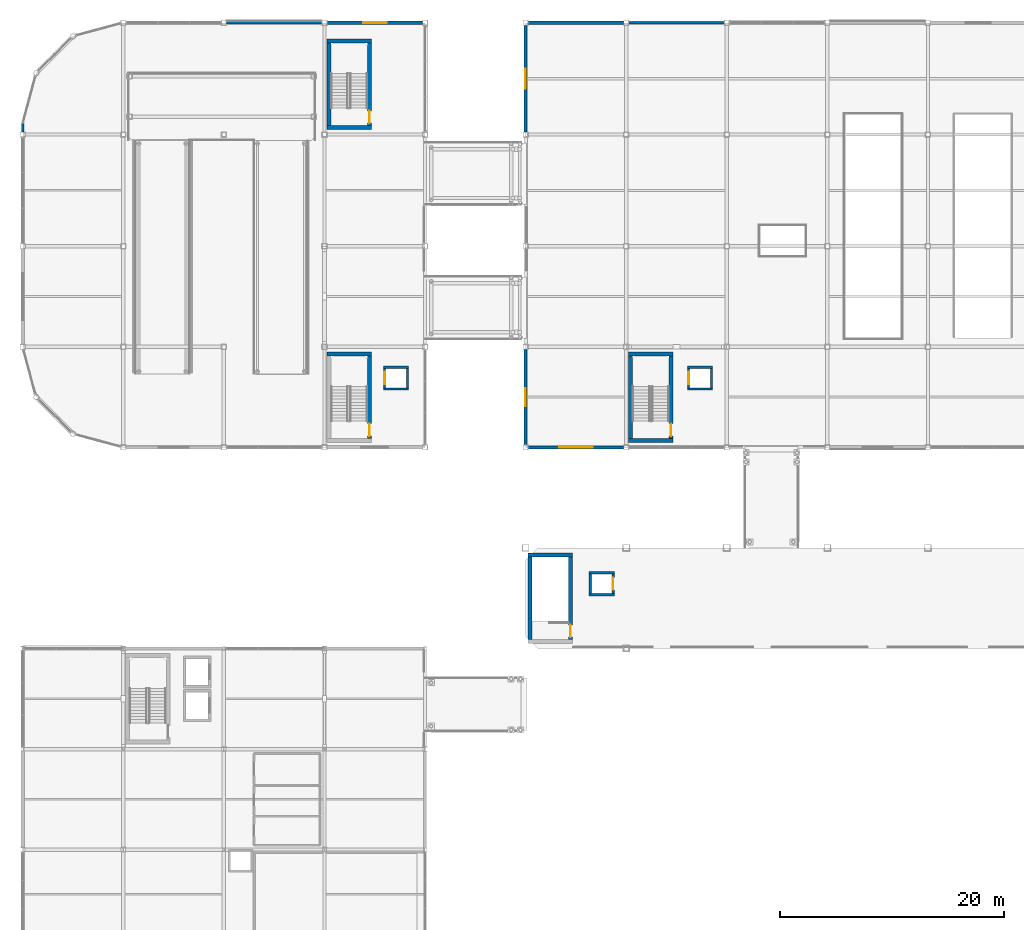
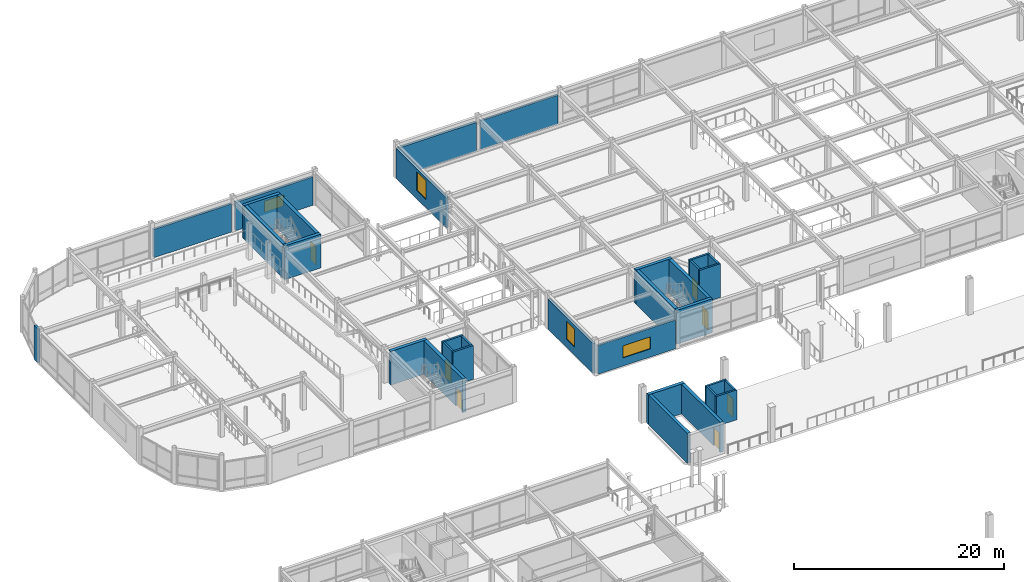
# One storey, part 75 of 105: 33 walls, 7 doors, 4 windows, 11 openings.
"""IFC4 building model written with IfcOpenShell, lengths in metres."""

import ifcopenshell
import ifcopenshell.guid

model = None  # the IFC model being written
_history = None  # IfcOwnerHistory: only IFC2X3 demands one
_inside = {}  # id of a spatial element -> (the spatial element, [elements in it])
_under = {}  # id of a project, library or spatial element -> (it, [spatial elements below it])
_declared = {}  # id of a project -> (the project, [libraries it declares])
_typed = {}  # id of a type object -> (the type object, [elements of that type])
_made_of = {}  # id of a material, layer set ... -> (it, [elements and type objects made of it])


def new_model(schema):
    """Start an empty IFC model of exactly this schema.

    Asked for "IFC4X3", IfcOpenShell would pick the latest addendum, in which some entities
    have other attributes; the version numbers below select the first issue.
    IFC2X3 requires an IfcOwnerHistory on every rooted entity: one is made here for all.
    """
    global model, _history
    if schema == "IFC4X3":
        model = ifcopenshell.file(schema_version=(4, 3, 0, 0))
    else:
        model = ifcopenshell.file(schema=schema)
    _inside.clear()
    _under.clear()
    _declared.clear()
    _typed.clear()
    _made_of.clear()
    _history = None
    if model.schema == "IFC2X3":
        org = make("IfcOrganization", Name="unknown")
        user = make(
            "IfcPersonAndOrganization",
            ThePerson=make("IfcPerson", FamilyName="unknown"),
            TheOrganization=org,
        )
        app = make(
            "IfcApplication",
            ApplicationDeveloper=org,
            Version="unknown",
            ApplicationFullName="unknown",
            ApplicationIdentifier="unknown",
        )
        _history = make(
            "IfcOwnerHistory",
            OwningUser=user,
            OwningApplication=app,
            ChangeAction="ADDED",
            CreationDate=0,
        )
    return model


def make(cls, **values):
    """One entity of the class cls with the attributes given. An attribute that is None is left unset."""
    return model.create_entity(
        cls, **{name: value for name, value in values.items() if value is not None}
    )


def rooted(cls, **values):
    """An entity with a GlobalId (a new one), such as an element, a storey or a relation."""
    return make(cls, GlobalId=ifcopenshell.guid.new(), OwnerHistory=_history, **values)


def si_unit(unit_type, name, prefix=None):
    """IfcSIUnit, for example si_unit("LENGTHUNIT", "METRE", prefix="MILLI")."""
    return make("IfcSIUnit", UnitType=unit_type, Prefix=prefix, Name=name)


def assignment(units):
    """IfcUnitAssignment: the units of a project."""
    return None if units is None else make("IfcUnitAssignment", Units=units)


def point(xyz):
    """IfcCartesianPoint."""
    return None if xyz is None else make("IfcCartesianPoint", Coordinates=xyz)


def direction(xyz):
    """IfcDirection."""
    return None if xyz is None else make("IfcDirection", DirectionRatios=xyz)


def frame(location, z_axis=None, x_axis=None):
    """IfcAxis2Placement3D, a coordinate frame: its origin and axes. An axis left out is left unset."""
    return make(
        "IfcAxis2Placement3D",
        Location=point(location),
        Axis=direction(z_axis),
        RefDirection=direction(x_axis),
    )


def frame_2d(location, x_axis=None):
    """IfcAxis2Placement2D, a coordinate frame in the plane: its origin and x axis."""
    return make(
        "IfcAxis2Placement2D", Location=point(location), RefDirection=direction(x_axis)
    )


def origin():
    """The frame at (0, 0, 0) with its axes left unset."""
    return frame((0.0, 0.0, 0.0))


def place(relative_to, where):
    """IfcLocalPlacement: puts the frame where relative to a parent placement (None: the world)."""
    return make(
        "IfcLocalPlacement", PlacementRelTo=relative_to, RelativePlacement=where
    )


def context(
    kind, dimensions, precision=None, world=None, true_north=None, identifier=None
):
    """IfcGeometricRepresentationContext, for example the 3D "Model" context."""
    return make(
        "IfcGeometricRepresentationContext",
        ContextIdentifier=identifier,
        ContextType=kind,
        CoordinateSpaceDimension=dimensions,
        Precision=precision,
        WorldCoordinateSystem=world,
        TrueNorth=true_north,
    )


def subcontext(parent, identifier, kind, view, scale=None):
    """IfcGeometricRepresentationSubContext, for example "Body" below "Model"."""
    return make(
        "IfcGeometricRepresentationSubContext",
        ContextIdentifier=identifier,
        ContextType=kind,
        ParentContext=parent,
        TargetScale=scale,
        TargetView=view,
    )


def project(units=None, contexts=None):
    """IfcProject with its units and contexts."""
    return rooted(
        "IfcProject",
        Name="project",
        RepresentationContexts=contexts,
        UnitsInContext=assignment(units),
    )


def spatial(cls, under=None, at=None, **own):
    """A site, building, storey or space (cls), placed at a placement, below another one or the project."""
    s = rooted(cls, ObjectPlacement=at, **own)
    if under is not None:
        _under.setdefault(under.id(), (under, []))[1].append(s)
    return s


def profile(cls, at=None, kind="AREA", **sizes):
    """A parametric profile (cls). Its sizes go by their IFC names, for example OverallWidth=200.0."""
    return make(cls, ProfileType=kind, Position=at, **sizes)


def rectangle(**sizes):
    """IfcRectangleProfileDef."""
    return profile("IfcRectangleProfileDef", **sizes)


def extrude(swept, where, along, depth):
    """IfcExtrudedAreaSolid: the profile swept, set in the frame where, extruded along a direction by depth."""
    return make(
        "IfcExtrudedAreaSolid",
        SweptArea=swept,
        Position=where,
        ExtrudedDirection=direction(along),
        Depth=depth,
    )


def shape(context_of_items, identifier, shape_type, items):
    """IfcShapeRepresentation: the items that make up one representation, for example the "Body"."""
    return make(
        "IfcShapeRepresentation",
        ContextOfItems=context_of_items,
        RepresentationIdentifier=identifier,
        RepresentationType=shape_type,
        Items=items,
    )


def material(Name=None, Category=None):
    """IfcMaterial."""
    return make("IfcMaterial", Name=Name, Category=Category)


def layer(
    of_material, thickness, ventilated=None, Name=None, Category=None, Priority=None
):
    """IfcMaterialLayer: one layer of a wall or slab, of a material (None: an air gap)."""
    return make(
        "IfcMaterialLayer",
        Material=of_material,
        LayerThickness=thickness,
        IsVentilated=ventilated,
        Name=Name,
        Category=Category,
        Priority=Priority,
    )


def layer_set(layers, Name=None):
    """IfcMaterialLayerSet."""
    return make("IfcMaterialLayerSet", MaterialLayers=layers, LayerSetName=Name)


def made_of(thing, what):
    """Note that an element or type object is made of a material, layer set ...; save() writes the relation."""
    if what is not None:
        _made_of.setdefault(what.id(), (what, []))[1].append(thing)
    return thing


def type_object(cls, material=None, **own):
    """A type object (cls), such as IfcWallType, which elements share."""
    return made_of(rooted(cls, **own), material)


def element(
    cls,
    number,
    at=None,
    inside=None,
    cuts=None,
    type_object=None,
    material=None,
    context=None,
    identifier="Body",
    shape_type=None,
    held_by="IfcProductDefinitionShape",
    body=None,
    shapes=None,
    **own,
):
    """One element of the class cls, such as IfcWall. Its Tag is "e" and its number.

    at: its placement. inside: the storey or other place that contains it. cuts: it is an
    opening in that element (IfcRelVoidsElement). A single representation is given by context,
    identifier, shape_type and body (its items); several are given by shapes. held_by: the class
    of the entity that holds the representations. save() writes the other relations.
    """
    e = rooted(cls, Tag="e%d" % number, ObjectPlacement=at, **own)
    if body is not None:
        shapes = [shape(context, identifier, shape_type, body)]
    if shapes is not None:
        e.Representation = make(held_by, Representations=shapes)
    if inside is not None:
        _inside.setdefault(inside.id(), (inside, []))[1].append(e)
    if cuts is not None:
        rooted(
            "IfcRelVoidsElement", RelatingBuildingElement=cuts, RelatedOpeningElement=e
        )
    if type_object is not None:
        _typed.setdefault(type_object.id(), (type_object, []))[1].append(e)
    return made_of(e, material)


def fill(opening, filler):
    """IfcRelFillsElement: the door or window that sits in an opening."""
    return rooted(
        "IfcRelFillsElement",
        RelatingOpeningElement=opening,
        RelatedBuildingElement=filler,
    )


def aggregate(whole, parts):
    """IfcRelAggregates: a whole, such as a stair, and the parts it consists of."""
    return rooted("IfcRelAggregates", RelatingObject=whole, RelatedObjects=parts)


def save(model, path):
    """Write the relations noted so far, then the file.

    IfcRelAggregates (storeys below a building ...), IfcRelContainedInSpatialStructure (elements
    in a storey), IfcRelDefinesByType, IfcRelAssociatesMaterial and IfcRelDeclares: one each for
    every whole, place, type object, material and project.
    """
    for whole, parts in _under.values():
        aggregate(whole, parts)
    for where, things in _inside.values():
        rooted(
            "IfcRelContainedInSpatialStructure",
            RelatedElements=things,
            RelatingStructure=where,
        )
    for kind, things in _typed.values():
        rooted("IfcRelDefinesByType", RelatedObjects=things, RelatingType=kind)
    for what, things in _made_of.values():
        rooted("IfcRelAssociatesMaterial", RelatedObjects=things, RelatingMaterial=what)
    for by, libraries in _declared.values():
        rooted("IfcRelDeclares", RelatingContext=by, RelatedDefinitions=libraries)
    model.write(path)


model = new_model("IFC4")

# Units and contexts
model_context = context("Model", 3, precision=1e-05, world=origin(), true_north=direction((0.0, 1.0)))
body_context = subcontext(model_context, "Body", "Model", "MODEL_VIEW")
ifc_project = project(units=[si_unit("LENGTHUNIT", "METRE"), si_unit("AREAUNIT", "SQUARE_METRE"), si_unit("VOLUMEUNIT", "CUBIC_METRE"), si_unit("PLANEANGLEUNIT", "RADIAN"), si_unit("MASSUNIT", "GRAM", prefix="KILO")], contexts=[model_context])

# Site, building, storey
site_placement = place(None, origin())
site = spatial("IfcSite", under=ifc_project, at=site_placement, CompositionType="ELEMENT")
building_placement = place(site_placement, origin())
building = spatial("IfcBuilding", under=site, at=building_placement, Name="Suzunagisa Mobility Hub", CompositionType="ELEMENT")
storey_placement = place(building_placement, frame((0.0, 0.0, 5.10009765625)))
storey = spatial("IfcBuildingStorey", under=building, at=storey_placement, Name="L01", CompositionType="ELEMENT", Elevation=5.10009765625)

# Wall
ifc_material_1 = material(Name="Porcelain-Faced Insulated Concrete C30/37 Wall", Category="concrete")
ifc_layer_1 = layer(ifc_material_1, 0.260009765625)
ifc_layer_set_1 = layer_set([ifc_layer_1], Name="Porcelain-Faced Insulated Concrete C30/37 Wall")
wall_type_1 = type_object("IfcWallType", Name="Exterior Wall EW-03 260mm", PredefinedType="SOLIDWALL", material=ifc_layer_set_1)
wall_1_placement = place(storey_placement, frame((26.77490234375, 118.0, 0.0), z_axis=(0.0, 0.0, 1.0), x_axis=(-1.0, 0.0, 0.0)))
element("IfcWall", 1, at=wall_1_placement, inside=storey, type_object=wall_type_1, Name="L01 Exterior Facade Wall EW-110", PredefinedType="SOLIDWALL", context=body_context, shape_type="SweptSolid", body=[
    extrude(rectangle(XDim=8.5498046875, YDim=0.260009765625, at=frame_2d((4.27490234375, 0.0))), origin(), (0.0, 0.0, 1.0), 3.289794921875),
])

# Wall, opening, window
wall_2_placement = place(storey_placement, frame((45.0, 88.77490234375, 0.0), z_axis=(0.0, 0.0, 1.0), x_axis=(0.0, -1.0, 0.0)))
wall_2 = element("IfcWall", 2, at=wall_2_placement, inside=storey, type_object=wall_type_1, Name="L01 Exterior Facade Wall EW-194", PredefinedType="SOLIDWALL", context=body_context, shape_type="SweptSolid", body=[
    extrude(rectangle(XDim=8.5498046875, YDim=0.260009765625, at=frame_2d((4.27490234375, 0.0))), origin(), (0.0, 0.0, 1.0), 3.489990234375),
])
opening_1_placement = place(wall_2_placement, frame((3.47509765625, 0.0, 0.949951171875)))
opening_1 = element("IfcOpeningElement", 3, at=opening_1_placement, cuts=wall_2, Name="Opening WN-04", PredefinedType="OPENING", context=body_context, shape_type="SweptSolid", body=[
    extrude(rectangle(XDim=1.60009765625, YDim=2.10009765625, at=frame_2d((0.800048828125, 1.050048828125))), frame((0.0, 0.14111328125, 0.0), z_axis=(0.0, -1.0, 0.0), x_axis=(1.0, 0.0, 0.0)), (0.0, 0.0, 1.0), 0.281982421875),
])
ifc_material_2 = material(Name="Thermally Broken Anodized Aluminum and Low-E Double Glazing", Category="aluminium")
window_type_1 = type_object("IfcWindowType", Name="Aluminum Window WN-04 1600x2100", PartitioningType="SINGLE_PANEL", PredefinedType="WINDOW", material=ifc_material_2)
window_1_placement = place(opening_1_placement, origin())
window_1 = element("IfcWindow", 4, at=window_1_placement, inside=storey, type_object=window_type_1, Name="L01 Scheduled Facade Window WN-64", OverallHeight=2.10009765625, OverallWidth=1.60009765625, PartitioningType="SINGLE_PANEL", PredefinedType="WINDOW", context=body_context, shape_type="SweptSolid", body=[
    extrude(rectangle(XDim=1.60009765625, YDim=2.10009765625, at=frame_2d((0.800048828125, 1.050048828125))), frame((0.0, 0.030029296875, 0.0), z_axis=(0.0, -1.0, 0.0), x_axis=(1.0, 0.0, 0.0)), (0.0, 0.0, 1.0), 0.06005859375),
])
fill(opening_1, window_1)

# Wall
ifc_material_3 = material(Name="Lightweight Insulated Autoclaved Concrete C30/37 Wall", Category="concrete")
ifc_layer_2 = layer(ifc_material_3, 0.239990234375)
ifc_layer_set_2 = layer_set([ifc_layer_2], Name="Lightweight Insulated Autoclaved Concrete C30/37 Wall")
wall_type_2 = type_object("IfcWallType", Name="Exterior Wall EW-04 240mm", PredefinedType="SOLIDWALL", material=ifc_layer_set_2)
wall_3_placement = place(storey_placement, frame((0.0, 109.0, 0.0), z_axis=(0.0, 0.0, 1.0), x_axis=(0.0, -1.0, 0.0)))
element("IfcWall", 5, at=wall_3_placement, inside=storey, type_object=wall_type_2, Name="L01 Exterior Facade Wall EW-111", PredefinedType="SOLIDWALL", context=body_context, shape_type="SweptSolid", body=[
    extrude(rectangle(XDim=0.77490234375, YDim=0.239990234375, at=frame_2d((0.387451171875, 0.0))), origin(), (0.0, 0.0, 1.0), 3.93994140625),
])

# Wall, opening, window
wall_4_placement = place(storey_placement, frame((45.22509765625, 80.0, 0.0), z_axis=(0.0, 0.0, 1.0), x_axis=(1.0, 0.0, 0.0)))
wall_4 = element("IfcWall", 6, at=wall_4_placement, inside=storey, type_object=wall_type_2, Name="L01 Exterior Facade Wall EW-179", PredefinedType="SOLIDWALL", context=body_context, shape_type="SweptSolid", body=[
    extrude(rectangle(XDim=8.5498046875, YDim=0.239990234375, at=frame_2d((4.27490234375, 0.0))), origin(), (0.0, 0.0, 1.0), 3.351806640625),
])
opening_2_placement = place(wall_4_placement, frame((2.77490234375, 0.0, 0.949951171875)))
opening_2 = element("IfcOpeningElement", 7, at=opening_2_placement, cuts=wall_4, Name="Opening WN-09", PredefinedType="OPENING", context=body_context, shape_type="SweptSolid", body=[
    extrude(rectangle(XDim=3.0, YDim=1.39990234375, at=frame_2d((1.5, 0.699951171875))), frame((0.0, 0.130859375, 0.0), z_axis=(0.0, -1.0, 0.0), x_axis=(1.0, 0.0, 0.0)), (0.0, 0.0, 1.0), 0.261962890625),
])
window_type_2 = type_object("IfcWindowType", Name="Aluminum Window WN-09 3000x1400", PartitioningType="SINGLE_PANEL", PredefinedType="WINDOW", material=ifc_material_2)
window_2_placement = place(opening_2_placement, origin())
window_2 = element("IfcWindow", 8, at=window_2_placement, inside=storey, type_object=window_type_2, Name="L01 Scheduled Facade Window WN-53", OverallHeight=1.39990234375, OverallWidth=3.0, PartitioningType="SINGLE_PANEL", PredefinedType="WINDOW", context=body_context, shape_type="SweptSolid", body=[
    extrude(rectangle(XDim=3.0, YDim=1.39990234375, at=frame_2d((1.5, 0.699951171875))), frame((0.0, 0.030029296875, 0.0), z_axis=(0.0, -1.0, 0.0), x_axis=(1.0, 0.0, 0.0)), (0.0, 0.0, 1.0), 0.06005859375),
])
fill(opening_2, window_2)

# Wall
wall_5_placement = place(storey_placement, frame((62.77490234375, 118.0, 0.0), z_axis=(0.0, 0.0, 1.0), x_axis=(-1.0, 0.0, 0.0)))
element("IfcWall", 9, at=wall_5_placement, inside=storey, type_object=wall_type_2, Name="L01 Exterior Facade Wall EW-191", PredefinedType="SOLIDWALL", context=body_context, shape_type="SweptSolid", body=[
    extrude(rectangle(XDim=8.5498046875, YDim=0.239990234375, at=frame_2d((4.27490234375, 0.0))), origin(), (0.0, 0.0, 1.0), 3.351806640625),
])

# Wall, opening, window
ifc_layer_3 = layer(ifc_material_1, 0.280029296875)
ifc_layer_set_3 = layer_set([ifc_layer_3], Name="Porcelain-Faced Insulated Concrete C30/37 Wall")
wall_type_3 = type_object("IfcWallType", Name="Exterior Wall EW-08 280mm", PredefinedType="SOLIDWALL", material=ifc_layer_set_3)
wall_6_placement = place(storey_placement, frame((35.77490234375, 118.0, 0.0), z_axis=(0.0, 0.0, 1.0), x_axis=(-1.0, 0.0, 0.0)))
wall_6 = element("IfcWall", 10, at=wall_6_placement, inside=storey, type_object=wall_type_3, Name="L01 Exterior Facade Wall EW-109", PredefinedType="SOLIDWALL", context=body_context, shape_type="SweptSolid", body=[
    extrude(rectangle(XDim=8.5498046875, YDim=0.280029296875, at=frame_2d((4.27490234375, 0.0))), origin(), (0.0, 0.0, 1.0), 3.289794921875),
])
opening_3_placement = place(wall_6_placement, frame((3.22509765625, 0.0, 0.949951171875)))
opening_3 = element("IfcOpeningElement", 11, at=opening_3_placement, cuts=wall_6, Name="Opening WN-07", PredefinedType="OPENING", context=body_context, shape_type="SweptSolid", body=[
    extrude(rectangle(XDim=2.10009765625, YDim=1.300048828125, at=frame_2d((1.050048828125, 0.64990234375))), frame((0.0, 0.15087890625, 0.0), z_axis=(0.0, -1.0, 0.0), x_axis=(1.0, 0.0, 0.0)), (0.0, 0.0, 1.0), 0.302001953125),
])
window_type_3 = type_object("IfcWindowType", Name="Aluminum Window WN-07 2100x1300", PartitioningType="SINGLE_PANEL", PredefinedType="WINDOW", material=ifc_material_2)
window_3_placement = place(opening_3_placement, origin())
window_3 = element("IfcWindow", 12, at=window_3_placement, inside=storey, type_object=window_type_3, Name="L01 Scheduled Facade Window WN-32", OverallHeight=1.300048828125, OverallWidth=2.10009765625, PartitioningType="SINGLE_PANEL", PredefinedType="WINDOW", context=body_context, shape_type="SweptSolid", body=[
    extrude(rectangle(XDim=2.10009765625, YDim=1.300048828125, at=frame_2d((1.050048828125, 0.64990234375))), frame((0.0, 0.030029296875, 0.0), z_axis=(0.0, -1.0, 0.0), x_axis=(1.0, 0.0, 0.0)), (0.0, 0.0, 1.0), 0.06005859375),
])
fill(opening_3, window_3)

wall_7_placement = place(storey_placement, frame((45.0, 117.77490234375, 0.0), z_axis=(0.0, 0.0, 1.0), x_axis=(0.0, -1.0, 0.0)))
wall_7 = element("IfcWall", 13, at=wall_7_placement, inside=storey, type_object=wall_type_3, Name="L01 Exterior Facade Wall EW-193", PredefinedType="SOLIDWALL", context=body_context, shape_type="SweptSolid", body=[
    extrude(rectangle(XDim=9.5498046875, YDim=0.280029296875, at=frame_2d((4.77490234375, 0.0))), origin(), (0.0, 0.0, 1.0), 3.489990234375),
])
opening_4_placement = place(wall_7_placement, frame((3.875, 0.0, 0.949951171875)))
opening_4 = element("IfcOpeningElement", 14, at=opening_4_placement, cuts=wall_7, Name="Opening WN-13", PredefinedType="OPENING", context=body_context, shape_type="SweptSolid", body=[
    extrude(rectangle(XDim=1.800048828125, YDim=2.199951171875, at=frame_2d((0.89990234375, 1.10009765625))), frame((0.0, 0.15087890625, 0.0), z_axis=(0.0, -1.0, 0.0), x_axis=(1.0, 0.0, 0.0)), (0.0, 0.0, 1.0), 0.302001953125),
])
window_type_4 = type_object("IfcWindowType", Name="Aluminum Window WN-13 1800x2200", PartitioningType="SINGLE_PANEL", PredefinedType="WINDOW", material=ifc_material_2)
window_4_placement = place(opening_4_placement, origin())
window_4 = element("IfcWindow", 15, at=window_4_placement, inside=storey, type_object=window_type_4, Name="L01 Scheduled Facade Window WN-63", OverallHeight=2.199951171875, OverallWidth=1.800048828125, PartitioningType="SINGLE_PANEL", PredefinedType="WINDOW", context=body_context, shape_type="SweptSolid", body=[
    extrude(rectangle(XDim=1.800048828125, YDim=2.199951171875, at=frame_2d((0.89990234375, 1.10009765625))), frame((0.0, 0.030029296875, 0.0), z_axis=(0.0, -1.0, 0.0), x_axis=(1.0, 0.0, 0.0)), (0.0, 0.0, 1.0), 0.06005859375),
])
fill(opening_4, window_4)

# Wall
ifc_material_4 = material(Name="Insulated Precast Concrete C35/45 Panel", Category="concrete")
ifc_layer_4 = layer(ifc_material_4, 0.300048828125)
ifc_layer_set_4 = layer_set([ifc_layer_4], Name="Insulated Precast Concrete C35/45 Panel")
wall_type_4 = type_object("IfcWallType", Name="Exterior Wall EW-09 300mm", PredefinedType="SOLIDWALL", material=ifc_layer_set_4)
wall_8_placement = place(storey_placement, frame((53.77490234375, 118.0, 0.0), z_axis=(0.0, 0.0, 1.0), x_axis=(-1.0, 0.0, 0.0)))
element("IfcWall", 16, at=wall_8_placement, inside=storey, type_object=wall_type_4, Name="L01 Exterior Facade Wall EW-192", PredefinedType="SOLIDWALL", context=body_context, shape_type="SweptSolid", body=[
    extrude(rectangle(XDim=8.5498046875, YDim=0.300048828125, at=frame_2d((4.27490234375, 0.0))), origin(), (0.0, 0.0, 1.0), 3.351806640625),
])

# Wall, opening, door
ifc_material_5 = material(Name="Fire-Rated Gypsum Stud Partition", Category="gypsum")
ifc_layer_5 = layer(ifc_material_5, 0.2099609375)
ifc_layer_set_5 = layer_set([ifc_layer_5], Name="Fire-Rated Gypsum Stud Partition")
wall_type_5 = type_object("IfcWallType", Name="Interior Wall IW-03 210mm", PredefinedType="PARTITIONING", material=ifc_layer_set_5)
wall_9_placement = place(storey_placement, frame((52.824951171875, 66.929931640625, 0.0), z_axis=(0.0, 0.0, 1.0), x_axis=(0.0, 1.0, 0.0)))
wall_9 = element("IfcWall", 17, at=wall_9_placement, inside=storey, type_object=wall_type_5, Name="L01 Lift LF-03 Shaft Front Wall", PredefinedType="PARTITIONING", context=body_context, shape_type="SweptSolid", body=[
    extrude(rectangle(XDim=1.739990234375, YDim=0.2099609375, at=frame_2d((0.8701171875, 0.0))), origin(), (0.0, 0.0, 1.0), 3.47998046875),
])
opening_5_placement = place(wall_9_placement, frame((0.320068359375, 0.0, 0.0)))
opening_5 = element("IfcOpeningElement", 18, at=opening_5_placement, cuts=wall_9, Name="Opening LD-01", PredefinedType="OPENING", context=body_context, shape_type="SweptSolid", body=[
    extrude(rectangle(XDim=1.10009765625, YDim=2.14990234375, at=frame_2d((0.550048828125, 1.074951171875))), frame((0.0, 0.115966796875, 0.0), z_axis=(0.0, -1.0, 0.0), x_axis=(1.0, 0.0, 0.0)), (0.0, 0.0, 1.0), 0.23193359375),
])
ifc_material_6 = material(Name="Brushed Stainless Steel SUS304", Category="metal")
door_type_1 = type_object("IfcDoorType", Name="Lift Landing Sliding Door LD-01 1100x2150", OperationType="SLIDING_TO_LEFT", PredefinedType="DOOR", material=ifc_material_6)
door_1_placement = place(opening_5_placement, origin())
door_1 = element("IfcDoor", 19, at=door_1_placement, inside=storey, type_object=door_type_1, Name="L01 Lift LF-03 Sliding Landing Door", OperationType="SLIDING_TO_LEFT", OverallHeight=2.14990234375, OverallWidth=1.10009765625, PredefinedType="DOOR", context=body_context, shape_type="SweptSolid", body=[
    extrude(rectangle(XDim=1.10009765625, YDim=2.14990234375, at=frame_2d((0.550048828125, 1.074951171875))), frame((0.0, 0.02490234375, 0.0), z_axis=(0.0, -1.0, 0.0), x_axis=(1.0, 0.0, 0.0)), (0.0, 0.0, 1.0), 0.050048828125),
])
fill(opening_5, door_1)

# Walls
wall_10_placement = place(storey_placement, frame((50.77490234375, 66.929931640625, 0.0), z_axis=(0.0, 0.0, 1.0), x_axis=(0.0, 1.0, 0.0)))
element("IfcWall", 20, at=wall_10_placement, inside=storey, type_object=wall_type_5, Name="L01 Lift LF-03 Shaft Back Wall", PredefinedType="PARTITIONING", context=body_context, shape_type="SweptSolid", body=[
    extrude(rectangle(XDim=1.739990234375, YDim=0.2099609375, at=frame_2d((0.8701171875, 0.0))), origin(), (0.0, 0.0, 1.0), 3.47998046875),
])
for number, where, z_axis, x_axis, name in (
    (21, (50.669921875, 66.824951171875, 0.0), (0.0, 0.0, 1.0), (1.0, 0.0, 0.0), "L01 Lift LF-03 Shaft South Wall"),
    (22, (50.669921875, 68.77490234375, 0.0), (0.0, 0.0, 1.0), (1.0, 0.0, 0.0), "L01 Lift LF-03 Shaft North Wall"),
):
    element("IfcWall", number, at=place(storey_placement, frame(where, z_axis=z_axis, x_axis=x_axis)), inside=storey, type_object=wall_type_5, Name=name, PredefinedType="PARTITIONING", context=body_context, shape_type="SweptSolid", body=[
        extrude(rectangle(XDim=2.260009765625, YDim=0.2099609375, at=frame_2d((1.1298828125, 0.0))), origin(), (0.0, 0.0, 1.0), 3.47998046875),
    ])

# Wall, opening, door
wall_11_placement = place(storey_placement, frame((32.375, 85.330078125, 0.0), z_axis=(0.0, 0.0, 1.0), x_axis=(0.0, 1.0, 0.0)))
wall_11 = element("IfcWall", 23, at=wall_11_placement, inside=storey, type_object=wall_type_5, Name="L01 Lift LF-09 Shaft Front Wall", PredefinedType="PARTITIONING", context=body_context, shape_type="SweptSolid", body=[
    extrude(rectangle(XDim=1.739990234375, YDim=0.2099609375, at=frame_2d((0.8701171875, 0.0))), origin(), (0.0, 0.0, 1.0), 3.93994140625),
])
opening_6_placement = place(wall_11_placement, frame((0.320068359375, 0.0, 0.0)))
opening_6 = element("IfcOpeningElement", 24, at=opening_6_placement, cuts=wall_11, Name="Opening LD-01", PredefinedType="OPENING", context=body_context, shape_type="SweptSolid", body=[
    extrude(rectangle(XDim=1.10009765625, YDim=2.14990234375, at=frame_2d((0.550048828125, 1.074951171875))), frame((0.0, 0.115966796875, 0.0), z_axis=(0.0, -1.0, 0.0), x_axis=(1.0, 0.0, 0.0)), (0.0, 0.0, 1.0), 0.23193359375),
])
door_2_placement = place(opening_6_placement, origin())
door_2 = element("IfcDoor", 25, at=door_2_placement, inside=storey, type_object=door_type_1, Name="L01 Lift LF-09 Sliding Landing Door", OperationType="SLIDING_TO_LEFT", OverallHeight=2.14990234375, OverallWidth=1.10009765625, PredefinedType="DOOR", context=body_context, shape_type="SweptSolid", body=[
    extrude(rectangle(XDim=1.10009765625, YDim=2.14990234375, at=frame_2d((0.550048828125, 1.074951171875))), frame((0.0, 0.02490234375, 0.0), z_axis=(0.0, -1.0, 0.0), x_axis=(1.0, 0.0, 0.0)), (0.0, 0.0, 1.0), 0.050048828125),
])
fill(opening_6, door_2)

# Walls
wall_12_placement = place(storey_placement, frame((34.425048828125, 85.330078125, 0.0), z_axis=(0.0, 0.0, 1.0), x_axis=(0.0, 1.0, 0.0)))
element("IfcWall", 26, at=wall_12_placement, inside=storey, type_object=wall_type_5, Name="L01 Lift LF-09 Shaft Back Wall", PredefinedType="PARTITIONING", context=body_context, shape_type="SweptSolid", body=[
    extrude(rectangle(XDim=1.739990234375, YDim=0.2099609375, at=frame_2d((0.8701171875, 0.0))), origin(), (0.0, 0.0, 1.0), 3.93994140625),
])
for number, where, z_axis, x_axis, name in (
    (27, (32.27001953125, 85.22509765625, 0.0), (0.0, 0.0, 1.0), (1.0, 0.0, 0.0), "L01 Lift LF-09 Shaft South Wall"),
    (28, (32.27001953125, 87.175048828125, 0.0), (0.0, 0.0, 1.0), (1.0, 0.0, 0.0), "L01 Lift LF-09 Shaft North Wall"),
):
    element("IfcWall", number, at=place(storey_placement, frame(where, z_axis=z_axis, x_axis=x_axis)), inside=storey, type_object=wall_type_5, Name=name, PredefinedType="PARTITIONING", context=body_context, shape_type="SweptSolid", body=[
        extrude(rectangle(XDim=2.260009765625, YDim=0.2099609375, at=frame_2d((1.1298828125, 0.0))), origin(), (0.0, 0.0, 1.0), 3.93994140625),
    ])

# Wall, opening, door
wall_13_placement = place(storey_placement, frame((59.574951171875, 85.330078125, 0.0), z_axis=(0.0, 0.0, 1.0), x_axis=(0.0, 1.0, 0.0)))
wall_13 = element("IfcWall", 29, at=wall_13_placement, inside=storey, type_object=wall_type_5, Name="L01 Lift LF-04 Shaft Front Wall", PredefinedType="PARTITIONING", context=body_context, shape_type="SweptSolid", body=[
    extrude(rectangle(XDim=1.739990234375, YDim=0.2099609375, at=frame_2d((0.8701171875, 0.0))), origin(), (0.0, 0.0, 1.0), 3.93994140625),
])
opening_7_placement = place(wall_13_placement, frame((0.320068359375, 0.0, 0.0)))
opening_7 = element("IfcOpeningElement", 30, at=opening_7_placement, cuts=wall_13, Name="Opening LD-01", PredefinedType="OPENING", context=body_context, shape_type="SweptSolid", body=[
    extrude(rectangle(XDim=1.10009765625, YDim=2.14990234375, at=frame_2d((0.550048828125, 1.074951171875))), frame((0.0, 0.115966796875, 0.0), z_axis=(0.0, -1.0, 0.0), x_axis=(1.0, 0.0, 0.0)), (0.0, 0.0, 1.0), 0.23193359375),
])
door_3_placement = place(opening_7_placement, origin())
door_3 = element("IfcDoor", 31, at=door_3_placement, inside=storey, type_object=door_type_1, Name="L01 Lift LF-04 Sliding Landing Door", OperationType="SLIDING_TO_LEFT", OverallHeight=2.14990234375, OverallWidth=1.10009765625, PredefinedType="DOOR", context=body_context, shape_type="SweptSolid", body=[
    extrude(rectangle(XDim=1.10009765625, YDim=2.14990234375, at=frame_2d((0.550048828125, 1.074951171875))), frame((0.0, 0.02490234375, 0.0), z_axis=(0.0, -1.0, 0.0), x_axis=(1.0, 0.0, 0.0)), (0.0, 0.0, 1.0), 0.050048828125),
])
fill(opening_7, door_3)

# Walls
wall_14_placement = place(storey_placement, frame((61.625, 85.330078125, 0.0), z_axis=(0.0, 0.0, 1.0), x_axis=(0.0, 1.0, 0.0)))
element("IfcWall", 32, at=wall_14_placement, inside=storey, type_object=wall_type_5, Name="L01 Lift LF-04 Shaft Back Wall", PredefinedType="PARTITIONING", context=body_context, shape_type="SweptSolid", body=[
    extrude(rectangle(XDim=1.739990234375, YDim=0.2099609375, at=frame_2d((0.8701171875, 0.0))), origin(), (0.0, 0.0, 1.0), 3.93994140625),
])
for number, where, z_axis, x_axis, name in (
    (33, (59.469970703125, 85.22509765625, 0.0), (0.0, 0.0, 1.0), (1.0, 0.0, 0.0), "L01 Lift LF-04 Shaft South Wall"),
    (34, (59.469970703125, 87.175048828125, 0.0), (0.0, 0.0, 1.0), (1.0, 0.0, 0.0), "L01 Lift LF-04 Shaft North Wall"),
):
    element("IfcWall", number, at=place(storey_placement, frame(where, z_axis=z_axis, x_axis=x_axis)), inside=storey, type_object=wall_type_5, Name=name, PredefinedType="PARTITIONING", context=body_context, shape_type="SweptSolid", body=[
        extrude(rectangle(XDim=2.260009765625, YDim=0.2099609375, at=frame_2d((1.1298828125, 0.0))), origin(), (0.0, 0.0, 1.0), 3.93994140625),
    ])
ifc_material_7 = material(Name="Concrete C35/45", Category="concrete")
ifc_layer_6 = layer(ifc_material_7, 0.35009765625)
ifc_layer_set_6 = layer_set([ifc_layer_6], Name="Concrete C35/45")
wall_type_6 = type_object("IfcWallType", Name="Interior Wall IW-04 350mm", PredefinedType="SHEAR", material=ifc_layer_set_6)
wall_15_placement = place(storey_placement, frame((45.2099609375, 70.375, 0.0), z_axis=(0.0, 0.0, 1.0), x_axis=(1.0, 0.0, 0.0)))
element("IfcWall", 35, at=wall_15_placement, inside=storey, type_object=wall_type_6, Name="L01 Core C2 Shear Wall SW-90", PredefinedType="SHEAR", context=body_context, shape_type="SweptSolid", body=[
    extrude(rectangle(XDim=3.97998046875, YDim=0.35009765625, at=frame_2d((1.989990234375, 0.0))), origin(), (0.0, 0.0, 1.0), 3.47998046875),
])
wall_16_placement = place(storey_placement, frame((45.385009765625, 62.800048828125, 0.0), z_axis=(0.0, 0.0, 1.0), x_axis=(0.0, 1.0, 0.0)))
element("IfcWall", 36, at=wall_16_placement, inside=storey, type_object=wall_type_6, Name="L01 Core C2 Shear Wall SW-91", PredefinedType="SHEAR", context=body_context, shape_type="SweptSolid", body=[
    extrude(rectangle(XDim=7.39990234375, YDim=0.35009765625, at=frame_2d((3.699951171875, 0.0))), origin(), (0.0, 0.0, 1.0), 3.47998046875),
])

# Wall, opening, door
wall_17_placement = place(storey_placement, frame((49.014892578125, 62.800048828125, 0.0), z_axis=(0.0, 0.0, 1.0), x_axis=(0.0, 1.0, 0.0)))
wall_17 = element("IfcWall", 37, at=wall_17_placement, inside=storey, type_object=wall_type_6, Name="L01 Core C2 Shear Wall SW-92", PredefinedType="SHEAR", context=body_context, shape_type="SweptSolid", body=[
    extrude(rectangle(XDim=7.39990234375, YDim=0.35009765625, at=frame_2d((3.699951171875, 0.0))), origin(), (0.0, 0.0, 1.0), 3.47998046875),
])
opening_8_placement = place(wall_17_placement, frame((0.219970703125, 0.0, 0.0)))
opening_8 = element("IfcOpeningElement", 38, at=opening_8_placement, cuts=wall_17, Name="Opening DR-05", PredefinedType="OPENING", context=body_context, shape_type="SweptSolid", body=[
    extrude(rectangle(XDim=1.10009765625, YDim=2.14990234375, at=frame_2d((0.550048828125, 1.074951171875))), frame((0.0, 0.18603515625, 0.0), z_axis=(0.0, -1.0, 0.0), x_axis=(1.0, 0.0, 0.0)), (0.0, 0.0, 1.0), 0.3720703125),
])
ifc_material_8 = material(Name="Fire-Rated Hollow Steel Stair Door", Category="steel")
door_type_2 = type_object("IfcDoorType", Name="Interior Door DR-05 1100x2150", OperationType="SINGLE_SWING_LEFT", PredefinedType="DOOR", material=ifc_material_8)
door_4_placement = place(opening_8_placement, origin())
door_4 = element("IfcDoor", 39, at=door_4_placement, inside=storey, type_object=door_type_2, Name="L01 Core C2 Escape Stair Fire Door SD-22", OperationType="SINGLE_SWING_RIGHT", OverallHeight=2.14990234375, OverallWidth=1.10009765625, PredefinedType="DOOR", context=body_context, shape_type="SweptSolid", body=[
    extrude(rectangle(XDim=1.10009765625, YDim=2.14990234375, at=frame_2d((0.550048828125, 1.074951171875))), frame((0.0, 0.02490234375, 0.0), z_axis=(0.0, -1.0, 0.0), x_axis=(1.0, 0.0, 0.0)), (0.0, 0.0, 1.0), 0.050048828125),
])
fill(opening_8, door_4)

# Wall
wall_18_placement = place(storey_placement, frame((27.2099609375, 88.375, 0.0), z_axis=(0.0, 0.0, 1.0), x_axis=(1.0, 0.0, 0.0)))
element("IfcWall", 40, at=wall_18_placement, inside=storey, type_object=wall_type_6, Name="L01 Core C6 Shear Wall SW-126", PredefinedType="SHEAR", context=body_context, shape_type="SweptSolid", body=[
    extrude(rectangle(XDim=3.97998046875, YDim=0.35009765625, at=frame_2d((1.989990234375, 0.0))), origin(), (0.0, 0.0, 1.0), 3.93994140625),
])

# Wall, opening, door
wall_19_placement = place(storey_placement, frame((31.014892578125, 80.800048828125, 0.0), z_axis=(0.0, 0.0, 1.0), x_axis=(0.0, 1.0, 0.0)))
wall_19 = element("IfcWall", 41, at=wall_19_placement, inside=storey, type_object=wall_type_6, Name="L01 Core C6 Shear Wall SW-128", PredefinedType="SHEAR", context=body_context, shape_type="SweptSolid", body=[
    extrude(rectangle(XDim=7.39990234375, YDim=0.35009765625, at=frame_2d((3.699951171875, 0.0))), origin(), (0.0, 0.0, 1.0), 3.93994140625),
])
opening_9_placement = place(wall_19_placement, frame((0.219970703125, 0.0, 0.0)))
opening_9 = element("IfcOpeningElement", 42, at=opening_9_placement, cuts=wall_19, Name="Opening DR-05", PredefinedType="OPENING", context=body_context, shape_type="SweptSolid", body=[
    extrude(rectangle(XDim=1.10009765625, YDim=2.14990234375, at=frame_2d((0.550048828125, 1.074951171875))), frame((0.0, 0.18603515625, 0.0), z_axis=(0.0, -1.0, 0.0), x_axis=(1.0, 0.0, 0.0)), (0.0, 0.0, 1.0), 0.3720703125),
])
door_5_placement = place(opening_9_placement, origin())
door_5 = element("IfcDoor", 43, at=door_5_placement, inside=storey, type_object=door_type_2, Name="L01 Core C6 Escape Stair Fire Door SD-30", OperationType="SINGLE_SWING_LEFT", OverallHeight=2.14990234375, OverallWidth=1.10009765625, PredefinedType="DOOR", context=body_context, shape_type="SweptSolid", body=[
    extrude(rectangle(XDim=1.10009765625, YDim=2.14990234375, at=frame_2d((0.550048828125, 1.074951171875))), frame((0.0, 0.02490234375, 0.0), z_axis=(0.0, -1.0, 0.0), x_axis=(1.0, 0.0, 0.0)), (0.0, 0.0, 1.0), 0.050048828125),
])
fill(opening_9, door_5)

# Walls
for number, where, z_axis, x_axis, name in (
    (44, (27.2099609375, 108.625, 0.0), (0.0, 0.0, 1.0), (1.0, 0.0, 0.0), "L01 Core C6B Shear Wall SW-165"),
    (45, (27.2099609375, 116.375, 0.0), (0.0, 0.0, 1.0), (1.0, 0.0, 0.0), "L01 Core C6B Shear Wall SW-166"),
):
    element("IfcWall", number, at=place(storey_placement, frame(where, z_axis=z_axis, x_axis=x_axis)), inside=storey, type_object=wall_type_6, Name=name, PredefinedType="SHEAR", context=body_context, shape_type="SweptSolid", body=[
        extrude(rectangle(XDim=3.97998046875, YDim=0.35009765625, at=frame_2d((1.989990234375, 0.0))), origin(), (0.0, 0.0, 1.0), 3.93994140625),
    ])
wall_20_placement = place(storey_placement, frame((27.385009765625, 108.800048828125, 0.0), z_axis=(0.0, 0.0, 1.0), x_axis=(0.0, 1.0, 0.0)))
element("IfcWall", 46, at=wall_20_placement, inside=storey, type_object=wall_type_6, Name="L01 Core C6B Shear Wall SW-167", PredefinedType="SHEAR", context=body_context, shape_type="SweptSolid", body=[
    extrude(rectangle(XDim=7.39990234375, YDim=0.35009765625, at=frame_2d((3.699951171875, 0.0))), origin(), (0.0, 0.0, 1.0), 3.93994140625),
])

# Wall, opening, door
wall_21_placement = place(storey_placement, frame((31.014892578125, 108.800048828125, 0.0), z_axis=(0.0, 0.0, 1.0), x_axis=(0.0, 1.0, 0.0)))
wall_21 = element("IfcWall", 47, at=wall_21_placement, inside=storey, type_object=wall_type_6, Name="L01 Core C6B Shear Wall SW-168", PredefinedType="SHEAR", context=body_context, shape_type="SweptSolid", body=[
    extrude(rectangle(XDim=7.39990234375, YDim=0.35009765625, at=frame_2d((3.699951171875, 0.0))), origin(), (0.0, 0.0, 1.0), 3.93994140625),
])
opening_10_placement = place(wall_21_placement, frame((0.219970703125, 0.0, 0.0)))
opening_10 = element("IfcOpeningElement", 48, at=opening_10_placement, cuts=wall_21, Name="Opening DR-05", PredefinedType="OPENING", context=body_context, shape_type="SweptSolid", body=[
    extrude(rectangle(XDim=1.10009765625, YDim=2.14990234375, at=frame_2d((0.550048828125, 1.074951171875))), frame((0.0, 0.18603515625, 0.0), z_axis=(0.0, -1.0, 0.0), x_axis=(1.0, 0.0, 0.0)), (0.0, 0.0, 1.0), 0.3720703125),
])
door_6_placement = place(opening_10_placement, origin())
door_6 = element("IfcDoor", 49, at=door_6_placement, inside=storey, type_object=door_type_2, Name="L01 Core C6B Escape Stair Fire Door SD-40", OperationType="SINGLE_SWING_LEFT", OverallHeight=2.14990234375, OverallWidth=1.10009765625, PredefinedType="DOOR", context=body_context, shape_type="SweptSolid", body=[
    extrude(rectangle(XDim=1.10009765625, YDim=2.14990234375, at=frame_2d((0.550048828125, 1.074951171875))), frame((0.0, 0.02490234375, 0.0), z_axis=(0.0, -1.0, 0.0), x_axis=(1.0, 0.0, 0.0)), (0.0, 0.0, 1.0), 0.050048828125),
])
fill(opening_10, door_6)

# Walls
for number, where, z_axis, x_axis, name in (
    (50, (54.2099609375, 80.625, 0.0), (0.0, 0.0, 1.0), (1.0, 0.0, 0.0), "L01 Core C3 Shear Wall SW-197"),
    (51, (54.2099609375, 88.375, 0.0), (0.0, 0.0, 1.0), (1.0, 0.0, 0.0), "L01 Core C3 Shear Wall SW-198"),
):
    element("IfcWall", number, at=place(storey_placement, frame(where, z_axis=z_axis, x_axis=x_axis)), inside=storey, type_object=wall_type_6, Name=name, PredefinedType="SHEAR", context=body_context, shape_type="SweptSolid", body=[
        extrude(rectangle(XDim=3.97998046875, YDim=0.35009765625, at=frame_2d((1.989990234375, 0.0))), origin(), (0.0, 0.0, 1.0), 3.93994140625),
    ])
wall_22_placement = place(storey_placement, frame((54.385009765625, 80.800048828125, 0.0), z_axis=(0.0, 0.0, 1.0), x_axis=(0.0, 1.0, 0.0)))
element("IfcWall", 52, at=wall_22_placement, inside=storey, type_object=wall_type_6, Name="L01 Core C3 Shear Wall SW-199", PredefinedType="SHEAR", context=body_context, shape_type="SweptSolid", body=[
    extrude(rectangle(XDim=7.39990234375, YDim=0.35009765625, at=frame_2d((3.699951171875, 0.0))), origin(), (0.0, 0.0, 1.0), 3.93994140625),
])

# Wall, opening, door
wall_23_placement = place(storey_placement, frame((58.014892578125, 80.800048828125, 0.0), z_axis=(0.0, 0.0, 1.0), x_axis=(0.0, 1.0, 0.0)))
wall_23 = element("IfcWall", 53, at=wall_23_placement, inside=storey, type_object=wall_type_6, Name="L01 Core C3 Shear Wall SW-200", PredefinedType="SHEAR", context=body_context, shape_type="SweptSolid", body=[
    extrude(rectangle(XDim=7.39990234375, YDim=0.35009765625, at=frame_2d((3.699951171875, 0.0))), origin(), (0.0, 0.0, 1.0), 3.93994140625),
])
opening_11_placement = place(wall_23_placement, frame((0.219970703125, 0.0, 0.0)))
opening_11 = element("IfcOpeningElement", 54, at=opening_11_placement, cuts=wall_23, Name="Opening DR-05", PredefinedType="OPENING", context=body_context, shape_type="SweptSolid", body=[
    extrude(rectangle(XDim=1.10009765625, YDim=2.14990234375, at=frame_2d((0.550048828125, 1.074951171875))), frame((0.0, 0.18603515625, 0.0), z_axis=(0.0, -1.0, 0.0), x_axis=(1.0, 0.0, 0.0)), (0.0, 0.0, 1.0), 0.3720703125),
])
door_7_placement = place(opening_11_placement, origin())
door_7 = element("IfcDoor", 55, at=door_7_placement, inside=storey, type_object=door_type_2, Name="L01 Core C3 Escape Stair Fire Door SD-48", OperationType="SINGLE_SWING_LEFT", OverallHeight=2.14990234375, OverallWidth=1.10009765625, PredefinedType="DOOR", context=body_context, shape_type="SweptSolid", body=[
    extrude(rectangle(XDim=1.10009765625, YDim=2.14990234375, at=frame_2d((0.550048828125, 1.074951171875))), frame((0.0, 0.02490234375, 0.0), z_axis=(0.0, -1.0, 0.0), x_axis=(1.0, 0.0, 0.0)), (0.0, 0.0, 1.0), 0.050048828125),
])
fill(opening_11, door_7)

save(model, "model.ifc")
